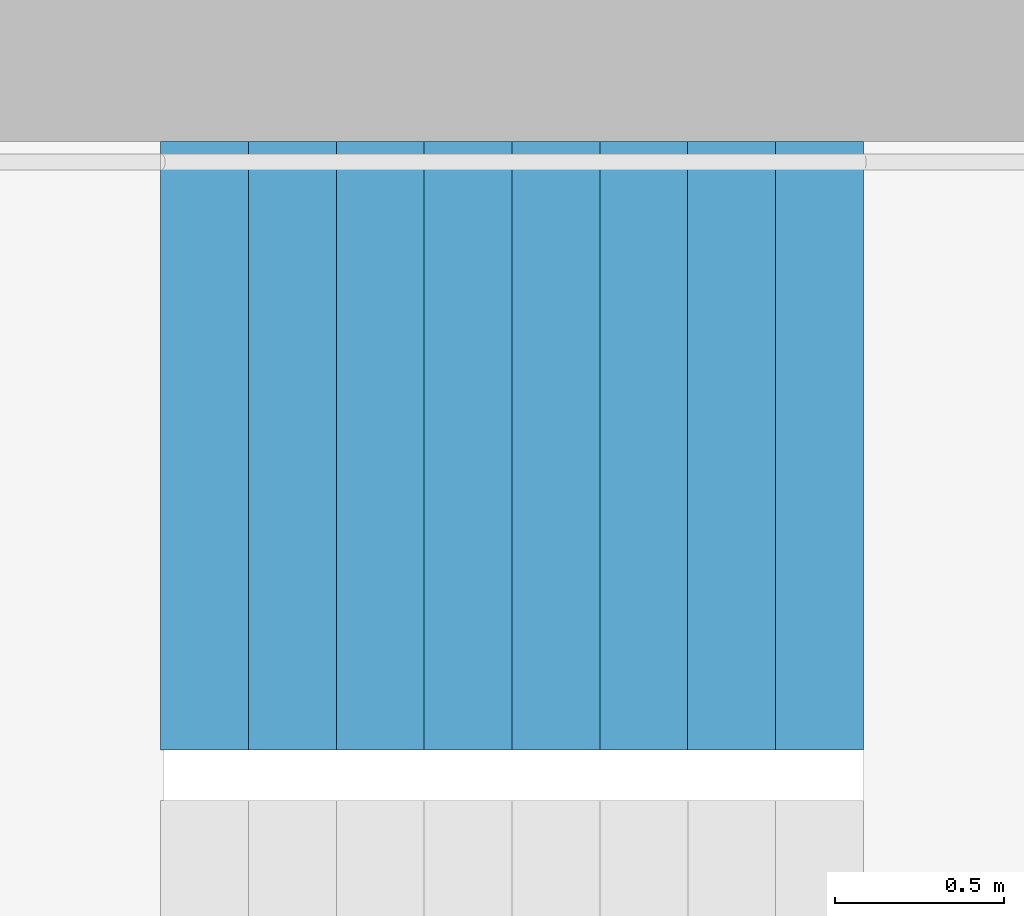
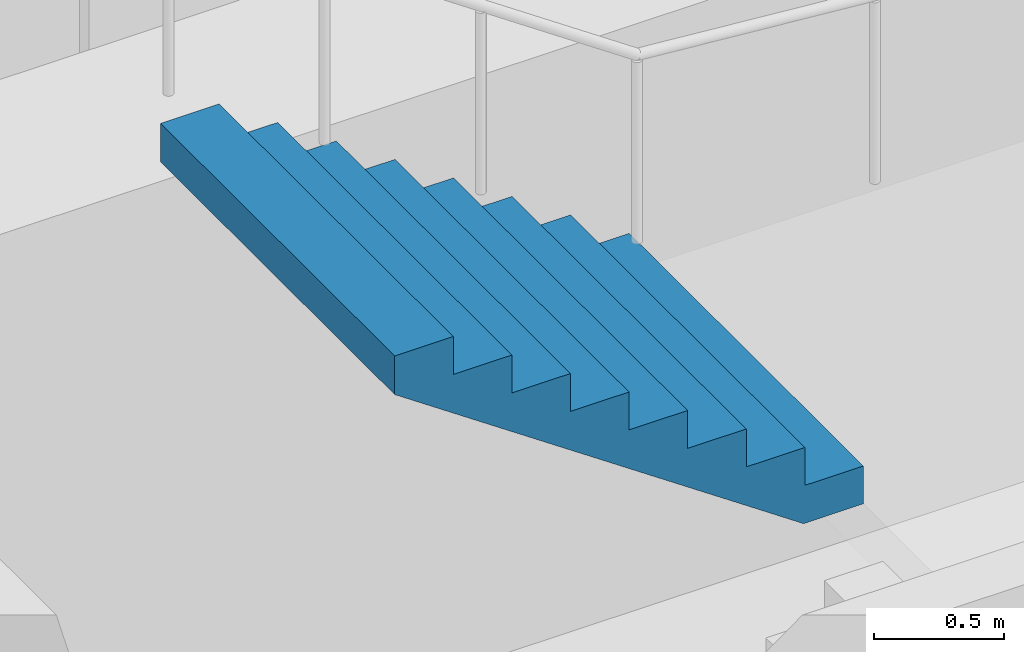
# One storey, part 21 of 26: 1 stair flight, 1 element without a shape of its own.
"""IFC4 building model written with IfcOpenShell, lengths in metres."""

from ifc_helpers import new_model, si_unit, direction, frame, origin, place, context, subcontext, project, spatial, triangles, material, type_object, element, aggregate, save


model = new_model("IFC4")

# Units and contexts
model_context = context("Model", 3, precision=1e-05, world=origin(), true_north=direction((0.0, 1.0)))
body_context = subcontext(model_context, "Body", "Model", "MODEL_VIEW")
ifc_project = project(units=[si_unit("LENGTHUNIT", "METRE"), si_unit("AREAUNIT", "SQUARE_METRE"), si_unit("VOLUMEUNIT", "CUBIC_METRE"), si_unit("PLANEANGLEUNIT", "RADIAN"), si_unit("MASSUNIT", "GRAM", prefix="KILO")], contexts=[model_context])

# Site, building, storey
site_placement = place(None, origin())
site = spatial("IfcSite", under=ifc_project, at=site_placement, CompositionType="ELEMENT")
building_placement = place(site_placement, origin())
building = spatial("IfcBuilding", under=site, at=building_placement, Name="Hakoniwa Tower and Hamabe Station Hall", CompositionType="ELEMENT")
storey_placement = place(building_placement, frame((0.0, 0.0, 199.39990234375)))
storey = spatial("IfcBuildingStorey", under=building, at=storey_placement, Name="L56", CompositionType="ELEMENT", Elevation=199.39990234375)

# Stair, stair flight
ifc_material_1 = material(Name="Concrete C40", Category="concrete")
stair_type = type_object("IfcStairType", Name="ESCAPE STAIR 1800", PredefinedType="HALF_TURN_STAIR", material=ifc_material_1)
stair_placement = place(storey_placement, origin())
stair = element("IfcStair", 1, at=stair_placement, inside=storey, type_object=stair_type, Name="Escape stair ST-1 L56", PredefinedType="HALF_TURN_STAIR")
ifc_material_2 = material(Name="Concrete C40", Category="concrete")
stair_flight_type = type_object("IfcStairFlightType", Name="STAIR FLIGHT 1800", PredefinedType="STRAIGHT", material=ifc_material_2)
stair_flight_placement = place(storey_placement, frame((-22.320068359375, 6.60009765625, 1.60009765625), z_axis=(0.0, 0.0, 1.0), x_axis=(-1.0, 0.0, 0.0)))
stair_flight = element("IfcStairFlight", 2, at=stair_flight_placement, type_object=stair_flight_type, Name="ST-1 flight 2", NumberOfRisers=9, NumberOfTreads=8, PredefinedType="STRAIGHT", RiserHeight=0.177777778, TreadLength=0.26, context=body_context, shape_type="Tessellation", body=[
    triangles([(0.0, 0.89990234375, 0.0), (0.260009765625, 0.89990234375, 0.0), (0.265625, 0.89990234375, 0.0), (0.52001953125, 0.89990234375, 0.174072265625), (0.780029296875, 0.89990234375, 0.351806640625), (1.0400390625, 0.89990234375, 0.529541015625), (1.300048828125, 0.89990234375, 0.707275390625), (1.56005859375, 0.89990234375, 0.885009765625), (1.820068359375, 0.89990234375, 1.062744140625), (2.080078125, 0.89990234375, 1.24072265625), (2.080078125, 0.89990234375, 1.422119140625), (1.820068359375, 0.89990234375, 1.422119140625), (1.820068359375, 0.89990234375, 1.244384765625), (1.56005859375, 0.89990234375, 1.244384765625), (1.56005859375, 0.89990234375, 1.066650390625), (1.300048828125, 0.89990234375, 1.066650390625), (1.300048828125, 0.89990234375, 0.888916015625), (1.0400390625, 0.89990234375, 0.888916015625), (1.0400390625, 0.89990234375, 0.711181640625), (0.780029296875, 0.89990234375, 0.711181640625), (0.780029296875, 0.89990234375, 0.533447265625), (0.52001953125, 0.89990234375, 0.533447265625), (0.52001953125, 0.89990234375, 0.35546875), (0.265625, 0.89990234375, 0.35546875), (0.260009765625, 0.89990234375, 0.35546875), (0.260009765625, 0.89990234375, 0.177734375), (0.0, 0.89990234375, 0.177734375), (0.0, 0.06005859375, 0.0), (0.260009765625, 0.06005859375, 0.0), (0.265625, 0.06005859375, 0.0), (0.52001953125, 0.06005859375, 0.174072265625), (0.780029296875, 0.06005859375, 0.351806640625), (1.0400390625, 0.06005859375, 0.529541015625), (1.300048828125, 0.06005859375, 0.707275390625), (1.56005859375, 0.06005859375, 0.885009765625), (1.820068359375, 0.06005859375, 1.062744140625), (2.080078125, 0.06005859375, 1.24072265625), (2.080078125, 0.06005859375, 1.422119140625), (1.820068359375, 0.06005859375, 1.422119140625), (1.820068359375, 0.06005859375, 1.244384765625), (1.56005859375, 0.06005859375, 1.244384765625), (1.56005859375, 0.06005859375, 1.066650390625), (1.300048828125, 0.06005859375, 1.066650390625), (1.300048828125, 0.06005859375, 0.888916015625), (1.0400390625, 0.06005859375, 0.888916015625), (1.0400390625, 0.06005859375, 0.711181640625), (0.780029296875, 0.06005859375, 0.711181640625), (0.780029296875, 0.06005859375, 0.533447265625), (0.52001953125, 0.06005859375, 0.533447265625), (0.52001953125, 0.06005859375, 0.35546875), (0.265625, 0.06005859375, 0.35546875), (0.260009765625, 0.06005859375, 0.35546875), (0.260009765625, 0.06005859375, 0.177734375), (0.0, 0.06005859375, 0.177734375), (0.0, 0.04296875, 0.0), (0.260009765625, 0.04296875, 0.0), (0.265625, 0.04296875, 0.0), (0.52001953125, 0.04296875, 0.174072265625), (0.780029296875, 0.04296875, 0.351806640625), (1.0400390625, 0.04296875, 0.529541015625), (1.300048828125, 0.04296875, 0.707275390625), (1.56005859375, 0.04296875, 0.885009765625), (1.820068359375, 0.04296875, 1.062744140625), (2.080078125, 0.04296875, 1.24072265625), (2.080078125, 0.04296875, 1.422119140625), (1.820068359375, 0.04296875, 1.422119140625), (1.820068359375, 0.04296875, 1.244384765625), (1.56005859375, 0.04296875, 1.244384765625), (1.56005859375, 0.04296875, 1.066650390625), (1.300048828125, 0.04296875, 1.066650390625), (1.300048828125, 0.04296875, 0.888916015625), (1.0400390625, 0.04296875, 0.888916015625), (1.0400390625, 0.04296875, 0.711181640625), (0.780029296875, 0.04296875, 0.711181640625), (0.780029296875, 0.04296875, 0.533447265625), (0.52001953125, 0.04296875, 0.533447265625), (0.52001953125, 0.04296875, 0.35546875), (0.265625, 0.04296875, 0.35546875), (0.260009765625, 0.04296875, 0.35546875), (0.260009765625, 0.04296875, 0.177734375), (0.0, 0.04296875, 0.177734375), (0.0, 0.025634765625, 0.0), (0.260009765625, 0.025634765625, 0.0), (0.265625, 0.025634765625, 0.0), (0.52001953125, 0.025634765625, 0.174072265625), (0.780029296875, 0.025634765625, 0.351806640625), (1.0400390625, 0.025634765625, 0.529541015625), (1.300048828125, 0.025634765625, 0.707275390625), (1.56005859375, 0.025634765625, 0.885009765625), (1.820068359375, 0.025634765625, 1.062744140625), (2.080078125, 0.025634765625, 1.24072265625), (2.080078125, 0.025634765625, 1.422119140625), (1.820068359375, 0.025634765625, 1.422119140625), (1.820068359375, 0.025634765625, 1.244384765625), (1.56005859375, 0.025634765625, 1.244384765625), (1.56005859375, 0.025634765625, 1.066650390625), (1.300048828125, 0.025634765625, 1.066650390625), (1.300048828125, 0.025634765625, 0.888916015625), (1.0400390625, 0.025634765625, 0.888916015625), (1.0400390625, 0.025634765625, 0.711181640625), (0.780029296875, 0.025634765625, 0.711181640625), (0.780029296875, 0.025634765625, 0.533447265625), (0.52001953125, 0.025634765625, 0.533447265625), (0.52001953125, 0.025634765625, 0.35546875), (0.265625, 0.025634765625, 0.35546875), (0.260009765625, 0.025634765625, 0.35546875), (0.260009765625, 0.025634765625, 0.177734375), (0.0, 0.025634765625, 0.177734375), (0.0, 0.008544921875, 0.0), (0.260009765625, 0.008544921875, 0.0), (0.265625, 0.008544921875, 0.0), (0.52001953125, 0.008544921875, 0.174072265625), (0.780029296875, 0.008544921875, 0.351806640625), (1.0400390625, 0.008544921875, 0.529541015625), (1.300048828125, 0.008544921875, 0.707275390625), (1.56005859375, 0.008544921875, 0.885009765625), (1.820068359375, 0.008544921875, 1.062744140625), (2.080078125, 0.008544921875, 1.24072265625), (2.080078125, 0.008544921875, 1.422119140625), (1.820068359375, 0.008544921875, 1.422119140625), (1.820068359375, 0.008544921875, 1.244384765625), (1.56005859375, 0.008544921875, 1.244384765625), (1.56005859375, 0.008544921875, 1.066650390625), (1.300048828125, 0.008544921875, 1.066650390625), (1.300048828125, 0.008544921875, 0.888916015625), (1.0400390625, 0.008544921875, 0.888916015625), (1.0400390625, 0.008544921875, 0.711181640625), (0.780029296875, 0.008544921875, 0.711181640625), (0.780029296875, 0.008544921875, 0.533447265625), (0.52001953125, 0.008544921875, 0.533447265625), (0.52001953125, 0.008544921875, 0.35546875), (0.265625, 0.008544921875, 0.35546875), (0.260009765625, 0.008544921875, 0.35546875), (0.260009765625, 0.008544921875, 0.177734375), (0.0, 0.008544921875, 0.177734375), (0.0, -0.008544921875, 0.0), (0.260009765625, -0.008544921875, 0.0), (0.265625, -0.008544921875, 0.0), (0.52001953125, -0.008544921875, 0.174072265625), (0.780029296875, -0.008544921875, 0.351806640625), (1.0400390625, -0.008544921875, 0.529541015625), (1.300048828125, -0.008544921875, 0.707275390625), (1.56005859375, -0.008544921875, 0.885009765625), (1.820068359375, -0.008544921875, 1.062744140625), (2.080078125, -0.008544921875, 1.24072265625), (2.080078125, -0.008544921875, 1.422119140625), (1.820068359375, -0.008544921875, 1.422119140625), (1.820068359375, -0.008544921875, 1.244384765625), (1.56005859375, -0.008544921875, 1.244384765625), (1.56005859375, -0.008544921875, 1.066650390625), (1.300048828125, -0.008544921875, 1.066650390625), (1.300048828125, -0.008544921875, 0.888916015625), (1.0400390625, -0.008544921875, 0.888916015625), (1.0400390625, -0.008544921875, 0.711181640625), (0.780029296875, -0.008544921875, 0.711181640625), (0.780029296875, -0.008544921875, 0.533447265625), (0.52001953125, -0.008544921875, 0.533447265625), (0.52001953125, -0.008544921875, 0.35546875), (0.265625, -0.008544921875, 0.35546875), (0.260009765625, -0.008544921875, 0.35546875), (0.260009765625, -0.008544921875, 0.177734375), (0.0, -0.008544921875, 0.177734375), (0.0, -0.025634765625, 0.0), (0.260009765625, -0.025634765625, 0.0), (0.265625, -0.025634765625, 0.0), (0.52001953125, -0.025634765625, 0.174072265625), (0.780029296875, -0.025634765625, 0.351806640625), (1.0400390625, -0.025634765625, 0.529541015625), (1.300048828125, -0.025634765625, 0.707275390625), (1.56005859375, -0.025634765625, 0.885009765625), (1.820068359375, -0.025634765625, 1.062744140625), (2.080078125, -0.025634765625, 1.24072265625), (2.080078125, -0.025634765625, 1.422119140625), (1.820068359375, -0.025634765625, 1.422119140625), (1.820068359375, -0.025634765625, 1.244384765625), (1.56005859375, -0.025634765625, 1.244384765625), (1.56005859375, -0.025634765625, 1.066650390625), (1.300048828125, -0.025634765625, 1.066650390625), (1.300048828125, -0.025634765625, 0.888916015625), (1.0400390625, -0.025634765625, 0.888916015625), (1.0400390625, -0.025634765625, 0.711181640625), (0.780029296875, -0.025634765625, 0.711181640625), (0.780029296875, -0.025634765625, 0.533447265625), (0.52001953125, -0.025634765625, 0.533447265625), (0.52001953125, -0.025634765625, 0.35546875), (0.265625, -0.025634765625, 0.35546875), (0.260009765625, -0.025634765625, 0.35546875), (0.260009765625, -0.025634765625, 0.177734375), (0.0, -0.025634765625, 0.177734375), (0.0, -0.04296875, 0.0), (0.260009765625, -0.04296875, 0.0), (0.265625, -0.04296875, 0.0), (0.52001953125, -0.04296875, 0.174072265625), (0.780029296875, -0.04296875, 0.351806640625), (1.0400390625, -0.04296875, 0.529541015625), (1.300048828125, -0.04296875, 0.707275390625), (1.56005859375, -0.04296875, 0.885009765625), (1.820068359375, -0.04296875, 1.062744140625), (2.080078125, -0.04296875, 1.24072265625), (2.080078125, -0.04296875, 1.422119140625), (1.820068359375, -0.04296875, 1.422119140625), (1.820068359375, -0.04296875, 1.244384765625), (1.56005859375, -0.04296875, 1.244384765625), (1.56005859375, -0.04296875, 1.066650390625), (1.300048828125, -0.04296875, 1.066650390625), (1.300048828125, -0.04296875, 0.888916015625), (1.0400390625, -0.04296875, 0.888916015625), (1.0400390625, -0.04296875, 0.711181640625), (0.780029296875, -0.04296875, 0.711181640625), (0.780029296875, -0.04296875, 0.533447265625), (0.52001953125, -0.04296875, 0.533447265625), (0.52001953125, -0.04296875, 0.35546875), (0.265625, -0.04296875, 0.35546875), (0.260009765625, -0.04296875, 0.35546875), (0.260009765625, -0.04296875, 0.177734375), (0.0, -0.04296875, 0.177734375), (0.0, -0.06005859375, 0.0), (0.260009765625, -0.06005859375, 0.0), (0.265625, -0.06005859375, 0.0), (0.52001953125, -0.06005859375, 0.174072265625), (0.780029296875, -0.06005859375, 0.351806640625), (1.0400390625, -0.06005859375, 0.529541015625), (1.300048828125, -0.06005859375, 0.707275390625), (1.56005859375, -0.06005859375, 0.885009765625), (1.820068359375, -0.06005859375, 1.062744140625), (2.080078125, -0.06005859375, 1.24072265625), (2.080078125, -0.06005859375, 1.422119140625), (1.820068359375, -0.06005859375, 1.422119140625), (1.820068359375, -0.06005859375, 1.244384765625), (1.56005859375, -0.06005859375, 1.244384765625), (1.56005859375, -0.06005859375, 1.066650390625), (1.300048828125, -0.06005859375, 1.066650390625), (1.300048828125, -0.06005859375, 0.888916015625), (1.0400390625, -0.06005859375, 0.888916015625), (1.0400390625, -0.06005859375, 0.711181640625), (0.780029296875, -0.06005859375, 0.711181640625), (0.780029296875, -0.06005859375, 0.533447265625), (0.52001953125, -0.06005859375, 0.533447265625), (0.52001953125, -0.06005859375, 0.35546875), (0.265625, -0.06005859375, 0.35546875), (0.260009765625, -0.06005859375, 0.35546875), (0.260009765625, -0.06005859375, 0.177734375), (0.0, -0.06005859375, 0.177734375), (0.0, -0.89990234375, 0.0), (0.260009765625, -0.89990234375, 0.0), (0.265625, -0.89990234375, 0.0), (0.52001953125, -0.89990234375, 0.174072265625), (0.780029296875, -0.89990234375, 0.351806640625), (1.0400390625, -0.89990234375, 0.529541015625), (1.300048828125, -0.89990234375, 0.707275390625), (1.56005859375, -0.89990234375, 0.885009765625), (1.820068359375, -0.89990234375, 1.062744140625), (2.080078125, -0.89990234375, 1.24072265625), (2.080078125, -0.89990234375, 1.422119140625), (1.820068359375, -0.89990234375, 1.422119140625), (1.820068359375, -0.89990234375, 1.244384765625), (1.56005859375, -0.89990234375, 1.244384765625), (1.56005859375, -0.89990234375, 1.066650390625), (1.300048828125, -0.89990234375, 1.066650390625), (1.300048828125, -0.89990234375, 0.888916015625), (1.0400390625, -0.89990234375, 0.888916015625), (1.0400390625, -0.89990234375, 0.711181640625), (0.780029296875, -0.89990234375, 0.711181640625), (0.780029296875, -0.89990234375, 0.533447265625), (0.52001953125, -0.89990234375, 0.533447265625), (0.52001953125, -0.89990234375, 0.35546875), (0.265625, -0.89990234375, 0.35546875), (0.260009765625, -0.89990234375, 0.35546875), (0.260009765625, -0.89990234375, 0.177734375), (0.0, -0.89990234375, 0.177734375)], [[2, 27, 26], [245, 269, 270], [2, 1, 27], [245, 270, 244], [3, 25, 24], [246, 267, 268], [3, 26, 25], [246, 268, 269], [3, 2, 26], [246, 269, 245], [4, 24, 23], [247, 266, 267], [4, 3, 24], [247, 267, 246], [5, 22, 21], [248, 264, 265], [5, 23, 22], [248, 265, 266], [5, 4, 23], [248, 266, 247], [6, 20, 19], [249, 262, 263], [6, 21, 20], [249, 263, 264], [6, 5, 21], [249, 264, 248], [7, 18, 17], [250, 260, 261], [7, 19, 18], [250, 261, 262], [7, 6, 19], [250, 262, 249], [8, 16, 15], [251, 258, 259], [8, 17, 16], [251, 259, 260], [8, 7, 17], [251, 260, 250], [9, 14, 13], [252, 256, 257], [9, 15, 14], [252, 257, 258], [9, 8, 15], [252, 258, 251], [10, 12, 11], [253, 254, 255], [10, 13, 12], [253, 255, 256], [10, 9, 13], [253, 256, 252], [1, 2, 29], [1, 29, 28], [28, 29, 56], [28, 56, 55], [55, 56, 83], [55, 83, 82], [82, 83, 110], [82, 110, 109], [109, 110, 137], [109, 137, 136], [136, 137, 164], [136, 164, 163], [163, 164, 191], [163, 191, 190], [190, 191, 218], [190, 218, 217], [217, 218, 245], [217, 245, 244], [2, 3, 30], [2, 30, 29], [29, 30, 57], [29, 57, 56], [56, 57, 84], [56, 84, 83], [83, 84, 111], [83, 111, 110], [110, 111, 138], [110, 138, 137], [137, 138, 165], [137, 165, 164], [164, 165, 192], [164, 192, 191], [191, 192, 219], [191, 219, 218], [218, 219, 246], [218, 246, 245], [3, 4, 31], [3, 31, 30], [30, 31, 58], [30, 58, 57], [57, 58, 85], [57, 85, 84], [84, 85, 112], [84, 112, 111], [111, 112, 139], [111, 139, 138], [138, 139, 166], [138, 166, 165], [165, 166, 193], [165, 193, 192], [192, 193, 220], [192, 220, 219], [219, 220, 247], [219, 247, 246], [4, 5, 32], [4, 32, 31], [31, 32, 59], [31, 59, 58], [58, 59, 86], [58, 86, 85], [85, 86, 113], [85, 113, 112], [112, 113, 140], [112, 140, 139], [139, 140, 167], [139, 167, 166], [166, 167, 194], [166, 194, 193], [193, 194, 221], [193, 221, 220], [220, 221, 248], [220, 248, 247], [5, 6, 33], [5, 33, 32], [32, 33, 60], [32, 60, 59], [59, 60, 87], [59, 87, 86], [86, 87, 114], [86, 114, 113], [113, 114, 141], [113, 141, 140], [140, 141, 168], [140, 168, 167], [167, 168, 195], [167, 195, 194], [194, 195, 222], [194, 222, 221], [221, 222, 249], [221, 249, 248], [6, 7, 34], [6, 34, 33], [33, 34, 61], [33, 61, 60], [60, 61, 88], [60, 88, 87], [87, 88, 115], [87, 115, 114], [114, 115, 142], [114, 142, 141], [141, 142, 169], [141, 169, 168], [168, 169, 196], [168, 196, 195], [195, 196, 223], [195, 223, 222], [222, 223, 250], [222, 250, 249], [7, 8, 35], [7, 35, 34], [34, 35, 62], [34, 62, 61], [61, 62, 89], [61, 89, 88], [88, 89, 116], [88, 116, 115], [115, 116, 143], [115, 143, 142], [142, 143, 170], [142, 170, 169], [169, 170, 197], [169, 197, 196], [196, 197, 224], [196, 224, 223], [223, 224, 251], [223, 251, 250], [8, 9, 36], [8, 36, 35], [35, 36, 63], [35, 63, 62], [62, 63, 90], [62, 90, 89], [89, 90, 117], [89, 117, 116], [116, 117, 144], [116, 144, 143], [143, 144, 171], [143, 171, 170], [170, 171, 198], [170, 198, 197], [197, 198, 225], [197, 225, 224], [224, 225, 252], [224, 252, 251], [9, 10, 37], [9, 37, 36], [36, 37, 64], [36, 64, 63], [63, 64, 91], [63, 91, 90], [90, 91, 118], [90, 118, 117], [117, 118, 145], [117, 145, 144], [144, 145, 172], [144, 172, 171], [171, 172, 199], [171, 199, 198], [198, 199, 226], [198, 226, 225], [225, 226, 253], [225, 253, 252], [10, 11, 38], [10, 38, 37], [37, 38, 65], [37, 65, 64], [64, 65, 92], [64, 92, 91], [91, 92, 119], [91, 119, 118], [118, 119, 146], [118, 146, 145], [145, 146, 173], [145, 173, 172], [172, 173, 200], [172, 200, 199], [199, 200, 227], [199, 227, 226], [226, 227, 254], [226, 254, 253], [11, 12, 39], [11, 39, 38], [38, 39, 66], [38, 66, 65], [65, 66, 93], [65, 93, 92], [92, 93, 120], [92, 120, 119], [119, 120, 147], [119, 147, 146], [146, 147, 174], [146, 174, 173], [173, 174, 201], [173, 201, 200], [200, 201, 228], [200, 228, 227], [227, 228, 255], [227, 255, 254], [12, 13, 40], [12, 40, 39], [39, 40, 67], [39, 67, 66], [66, 67, 94], [66, 94, 93], [93, 94, 121], [93, 121, 120], [120, 121, 148], [120, 148, 147], [147, 148, 175], [147, 175, 174], [174, 175, 202], [174, 202, 201], [201, 202, 229], [201, 229, 228], [228, 229, 256], [228, 256, 255], [13, 14, 41], [13, 41, 40], [40, 41, 68], [40, 68, 67], [67, 68, 95], [67, 95, 94], [94, 95, 122], [94, 122, 121], [121, 122, 149], [121, 149, 148], [148, 149, 176], [148, 176, 175], [175, 176, 203], [175, 203, 202], [202, 203, 230], [202, 230, 229], [229, 230, 257], [229, 257, 256], [14, 15, 42], [14, 42, 41], [41, 42, 69], [41, 69, 68], [68, 69, 96], [68, 96, 95], [95, 96, 123], [95, 123, 122], [122, 123, 150], [122, 150, 149], [149, 150, 177], [149, 177, 176], [176, 177, 204], [176, 204, 203], [203, 204, 231], [203, 231, 230], [230, 231, 258], [230, 258, 257], [15, 16, 43], [15, 43, 42], [42, 43, 70], [42, 70, 69], [69, 70, 97], [69, 97, 96], [96, 97, 124], [96, 124, 123], [123, 124, 151], [123, 151, 150], [150, 151, 178], [150, 178, 177], [177, 178, 205], [177, 205, 204], [204, 205, 232], [204, 232, 231], [231, 232, 259], [231, 259, 258], [16, 17, 44], [16, 44, 43], [43, 44, 71], [43, 71, 70], [70, 71, 98], [70, 98, 97], [97, 98, 125], [97, 125, 124], [124, 125, 152], [124, 152, 151], [151, 152, 179], [151, 179, 178], [178, 179, 206], [178, 206, 205], [205, 206, 233], [205, 233, 232], [232, 233, 260], [232, 260, 259], [17, 18, 45], [17, 45, 44], [44, 45, 72], [44, 72, 71], [71, 72, 99], [71, 99, 98], [98, 99, 126], [98, 126, 125], [125, 126, 153], [125, 153, 152], [152, 153, 180], [152, 180, 179], [179, 180, 207], [179, 207, 206], [206, 207, 234], [206, 234, 233], [233, 234, 261], [233, 261, 260], [18, 19, 46], [18, 46, 45], [45, 46, 73], [45, 73, 72], [72, 73, 100], [72, 100, 99], [99, 100, 127], [99, 127, 126], [126, 127, 154], [126, 154, 153], [153, 154, 181], [153, 181, 180], [180, 181, 208], [180, 208, 207], [207, 208, 235], [207, 235, 234], [234, 235, 262], [234, 262, 261], [19, 20, 47], [19, 47, 46], [46, 47, 74], [46, 74, 73], [73, 74, 101], [73, 101, 100], [100, 101, 128], [100, 128, 127], [127, 128, 155], [127, 155, 154], [154, 155, 182], [154, 182, 181], [181, 182, 209], [181, 209, 208], [208, 209, 236], [208, 236, 235], [235, 236, 263], [235, 263, 262], [20, 21, 48], [20, 48, 47], [47, 48, 75], [47, 75, 74], [74, 75, 102], [74, 102, 101], [101, 102, 129], [101, 129, 128], [128, 129, 156], [128, 156, 155], [155, 156, 183], [155, 183, 182], [182, 183, 210], [182, 210, 209], [209, 210, 237], [209, 237, 236], [236, 237, 264], [236, 264, 263], [21, 22, 49], [21, 49, 48], [48, 49, 76], [48, 76, 75], [75, 76, 103], [75, 103, 102], [102, 103, 130], [102, 130, 129], [129, 130, 157], [129, 157, 156], [156, 157, 184], [156, 184, 183], [183, 184, 211], [183, 211, 210], [210, 211, 238], [210, 238, 237], [237, 238, 265], [237, 265, 264], [22, 23, 50], [22, 50, 49], [49, 50, 77], [49, 77, 76], [76, 77, 104], [76, 104, 103], [103, 104, 131], [103, 131, 130], [130, 131, 158], [130, 158, 157], [157, 158, 185], [157, 185, 184], [184, 185, 212], [184, 212, 211], [211, 212, 239], [211, 239, 238], [238, 239, 266], [238, 266, 265], [23, 24, 51], [23, 51, 50], [50, 51, 78], [50, 78, 77], [77, 78, 105], [77, 105, 104], [104, 105, 132], [104, 132, 131], [131, 132, 159], [131, 159, 158], [158, 159, 186], [158, 186, 185], [185, 186, 213], [185, 213, 212], [212, 213, 240], [212, 240, 239], [239, 240, 267], [239, 267, 266], [24, 25, 52], [24, 52, 51], [51, 52, 79], [51, 79, 78], [78, 79, 106], [78, 106, 105], [105, 106, 133], [105, 133, 132], [132, 133, 160], [132, 160, 159], [159, 160, 187], [159, 187, 186], [186, 187, 214], [186, 214, 213], [213, 214, 241], [213, 241, 240], [240, 241, 268], [240, 268, 267], [25, 26, 53], [25, 53, 52], [52, 53, 80], [52, 80, 79], [79, 80, 107], [79, 107, 106], [106, 107, 134], [106, 134, 133], [133, 134, 161], [133, 161, 160], [160, 161, 188], [160, 188, 187], [187, 188, 215], [187, 215, 214], [214, 215, 242], [214, 242, 241], [241, 242, 269], [241, 269, 268], [26, 27, 54], [26, 54, 53], [53, 54, 81], [53, 81, 80], [80, 81, 108], [80, 108, 107], [107, 108, 135], [107, 135, 134], [134, 135, 162], [134, 162, 161], [161, 162, 189], [161, 189, 188], [188, 189, 216], [188, 216, 215], [215, 216, 243], [215, 243, 242], [242, 243, 270], [242, 270, 269], [27, 1, 28], [27, 28, 54], [54, 28, 55], [54, 55, 81], [81, 55, 82], [81, 82, 108], [108, 82, 109], [108, 109, 135], [135, 109, 136], [135, 136, 162], [162, 136, 163], [162, 163, 189], [189, 163, 190], [189, 190, 216], [216, 190, 217], [216, 217, 243], [243, 217, 244], [243, 244, 270]], closed=True),
])
aggregate(stair, [stair_flight])

save(model, "model.ifc")
